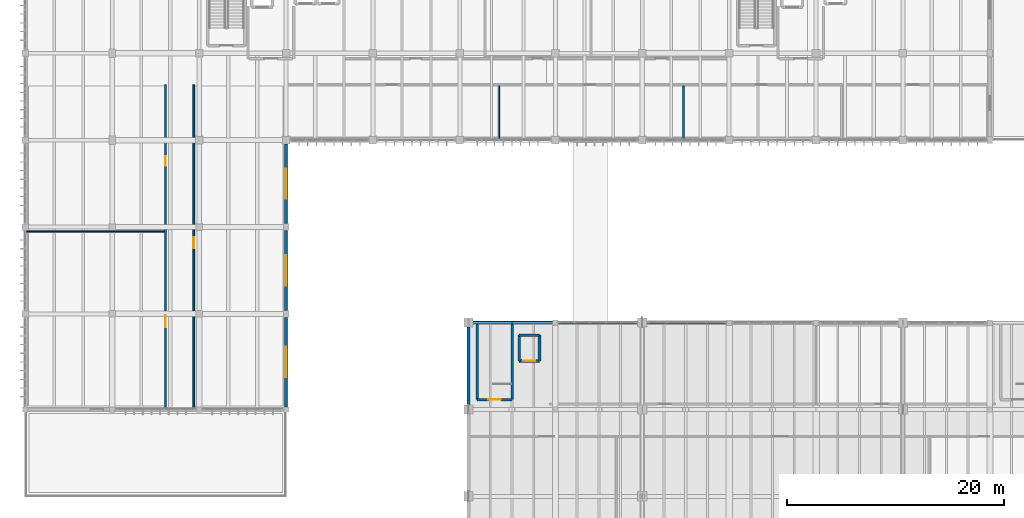
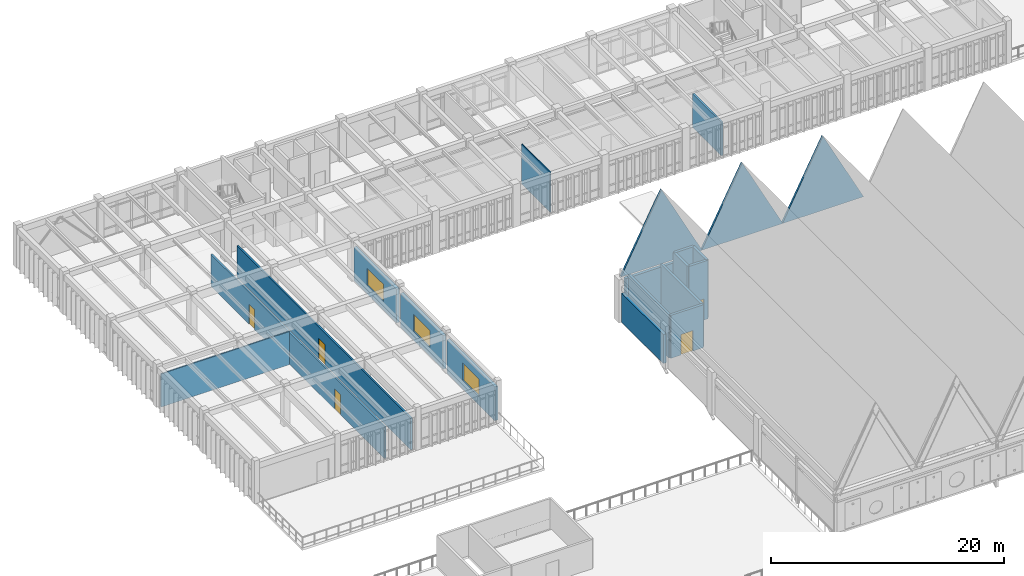
# One storey, part 48 of 72: 20 walls, 5 doors, 3 windows, 8 openings.
"""IFC4 building model written with IfcOpenShell, lengths in metres."""

from ifc_helpers import new_model, si_unit, direction, frame, frame_2d, origin, place, context, subcontext, project, spatial, polyline, rectangle, outline, extrude, material, layer, layer_set, type_object, element, fill, save


model = new_model("IFC4")

# Units and contexts
model_context = context("Model", 3, precision=1e-05, world=origin(), true_north=direction((0.0, 1.0)))
body_context = subcontext(model_context, "Body", "Model", "MODEL_VIEW")
ifc_project = project(units=[si_unit("LENGTHUNIT", "METRE"), si_unit("AREAUNIT", "SQUARE_METRE"), si_unit("VOLUMEUNIT", "CUBIC_METRE"), si_unit("PLANEANGLEUNIT", "RADIAN"), si_unit("MASSUNIT", "GRAM", prefix="KILO")], contexts=[model_context])

# Site, building, storey
site_placement = place(None, origin())
site = spatial("IfcSite", under=ifc_project, at=site_placement, CompositionType="ELEMENT")
building_placement = place(site_placement, origin())
building = spatial("IfcBuilding", under=site, at=building_placement, Name="Tlaxcora Railside Police Headquarters", CompositionType="ELEMENT")
storey_placement = place(building_placement, frame((0.0, 0.0, 13.5)))
storey = spatial("IfcBuildingStorey", under=building, at=storey_placement, Name="L03", CompositionType="ELEMENT", Elevation=13.5)

# Walls
ifc_material_1 = material(Name="Gypsum acoustic partition board")
ifc_layer_1 = layer(ifc_material_1, 0.16796875, Name="Gypsum acoustic partition board")
ifc_layer_set_1 = layer_set([ifc_layer_1], Name="Gypsum acoustic partition board")
wall_type_1 = type_object("IfcWallType", Name="Interior Partition Wall IW-31", PredefinedType="PARTITIONING", material=ifc_layer_set_1)
wall_1_placement = place(storey_placement, frame((65.7958984375, 76.8798828125, 0.0), z_axis=(0.0, 0.0, 1.0), x_axis=(0.0, 1.0, 0.0)))
element("IfcWall", 1, at=wall_1_placement, inside=storey, type_object=wall_type_1, Name="V5 L03 interior partition 190", PredefinedType="PARTITIONING", context=body_context, shape_type="SweptSolid", body=[
    extrude(rectangle(XDim=4.920166015625, YDim=0.16796875, at=frame_2d((2.4599609375, 0.0))), origin(), (0.0, 0.0, 1.0), 3.52490234375),
])
ifc_layer_2 = layer(ifc_material_1, 0.10009765625, Name="Gypsum acoustic partition board")
ifc_layer_set_2 = layer_set([ifc_layer_2], Name="Gypsum acoustic partition board")
wall_type_2 = type_object("IfcWallType", Name="Interior Partition Wall IW-45", PredefinedType="PARTITIONING", material=ifc_layer_set_2)
wall_2_placement = place(storey_placement, frame((48.81103515625, 76.8798828125, 0.0), z_axis=(0.0, 0.0, 1.0), x_axis=(0.0, 1.0, 0.0)))
element("IfcWall", 2, at=wall_2_placement, inside=storey, type_object=wall_type_2, Name="V5 L03 interior partition 189", PredefinedType="PARTITIONING", context=body_context, shape_type="SweptSolid", body=[
    extrude(rectangle(XDim=4.920166015625, YDim=0.10009765625, at=frame_2d((2.4599609375, 0.0))), origin(), (0.0, 0.0, 1.0), 4.18994140625),
])

# Wall, openings, doors
ifc_layer_3 = layer(ifc_material_1, 0.159912109375, Name="Gypsum acoustic partition board")
ifc_layer_set_3 = layer_set([ifc_layer_3], Name="Gypsum acoustic partition board")
wall_type_3 = type_object("IfcWallType", Name="Interior Partition Wall IW-73", PredefinedType="PARTITIONING", material=ifc_layer_set_3)
wall_3_placement = place(storey_placement, frame((18.10009765625, 52.080078125, 0.0), z_axis=(0.0, 0.0, 1.0), x_axis=(0.0, 1.0, 0.0)))
wall_3 = element("IfcWall", 3, at=wall_3_placement, inside=storey, type_object=wall_type_3, Name="V5 L03 interior partition 197", PredefinedType="PARTITIONING", context=body_context, shape_type="SweptSolid", body=[
    extrude(rectangle(XDim=29.81982421875, YDim=0.159912109375, at=frame_2d((14.909912109375, 0.0))), origin(), (0.0, 0.0, 1.0), 3.324951171875),
])
opening_1_placement = place(wall_3_placement, frame((7.510009765625, 0.0, 0.0)))
opening_1 = element("IfcOpeningElement", 4, at=opening_1_placement, cuts=wall_3, Name="Opening D-L03-225", PredefinedType="OPENING", context=body_context, shape_type="SweptSolid", body=[
    extrude(rectangle(XDim=1.10009765625, YDim=2.10009765625, at=frame_2d((0.550048828125, 1.050048828125))), frame((0.0, 0.08984375, 0.0), z_axis=(0.0, -1.0, 0.0), x_axis=(1.0, 0.0, 0.0)), (0.0, 0.0, 1.0), 0.179931640625),
])
opening_2_placement = place(wall_3_placement, frame((22.340087890625, 0.0, 0.0)))
opening_2 = element("IfcOpeningElement", 5, at=opening_2_placement, cuts=wall_3, Name="Opening D-L03-226", PredefinedType="OPENING", context=body_context, shape_type="SweptSolid", body=[
    extrude(rectangle(XDim=0.89990234375, YDim=2.10009765625, at=frame_2d((0.449951171875, 1.050048828125))), frame((0.0, 0.08984375, 0.0), z_axis=(0.0, -1.0, 0.0), x_axis=(1.0, 0.0, 0.0)), (0.0, 0.0, 1.0), 0.179931640625),
])
ifc_material_2 = material(Name="Steel ASTM A992 Grade 50", Category="steel")
door_type_1 = type_object("IfcDoorType", Name="Swing or Sliding Personnel Door ID-33", OperationType="NOTDEFINED", PredefinedType="DOOR", material=ifc_material_2)
door_1_placement = place(opening_2_placement, origin())
door_1 = element("IfcDoor", 6, at=door_1_placement, inside=storey, type_object=door_type_1, Name="V5 L03 door D-L03-226", OperationType="SINGLE_SWING_RIGHT", OverallHeight=2.10009765625, OverallWidth=0.89990234375, PredefinedType="DOOR", context=body_context, shape_type="SweptSolid", body=[
    extrude(rectangle(XDim=0.89990234375, YDim=2.10009765625, at=frame_2d((0.449951171875, 1.050048828125))), frame((0.0, 0.02490234375, 0.0), z_axis=(0.0, -1.0, 0.0), x_axis=(1.0, 0.0, 0.0)), (0.0, 0.0, 1.0), 0.050048828125),
])
fill(opening_2, door_1)
door_type_2 = type_object("IfcDoorType", Name="Swing or Sliding Personnel Door ID-66", OperationType="NOTDEFINED", PredefinedType="DOOR", material=ifc_material_2)
door_2_placement = place(opening_1_placement, origin())
door_2 = element("IfcDoor", 7, at=door_2_placement, inside=storey, type_object=door_type_2, Name="V5 L03 door D-L03-225", OperationType="SINGLE_SWING_LEFT", OverallHeight=2.10009765625, OverallWidth=1.10009765625, PredefinedType="DOOR", context=body_context, shape_type="SweptSolid", body=[
    extrude(rectangle(XDim=1.10009765625, YDim=2.10009765625, at=frame_2d((0.550048828125, 1.050048828125))), frame((0.0, 0.02490234375, 0.0), z_axis=(0.0, -1.0, 0.0), x_axis=(1.0, 0.0, 0.0)), (0.0, 0.0, 1.0), 0.050048828125),
])
fill(opening_1, door_2)

# Wall, opening, door
wall_4_placement = place(storey_placement, frame((20.699951171875, 52.080078125, 0.0), z_axis=(0.0, 0.0, 1.0), x_axis=(0.0, 1.0, 0.0)))
wall_4 = element("IfcWall", 8, at=wall_4_placement, inside=storey, type_object=wall_type_3, Name="V5 L03 interior partition 198", PredefinedType="PARTITIONING", context=body_context, shape_type="SweptSolid", body=[
    extrude(rectangle(XDim=29.81982421875, YDim=0.159912109375, at=frame_2d((14.909912109375, 0.0))), origin(), (0.0, 0.0, 1.0), 3.324951171875),
])
opening_3_placement = place(wall_4_placement, frame((14.75, 0.0, 0.0)))
opening_3 = element("IfcOpeningElement", 9, at=opening_3_placement, cuts=wall_4, Name="Opening D-L03-227", PredefinedType="OPENING", context=body_context, shape_type="SweptSolid", body=[
    extrude(rectangle(XDim=1.050048828125, YDim=2.10009765625, at=frame_2d((0.52490234375, 1.050048828125))), frame((0.0, 0.08984375, 0.0), z_axis=(0.0, -1.0, 0.0), x_axis=(1.0, 0.0, 0.0)), (0.0, 0.0, 1.0), 0.179931640625),
])
door_type_3 = type_object("IfcDoorType", Name="Swing or Sliding Personnel Door ID-52", OperationType="NOTDEFINED", PredefinedType="DOOR", material=ifc_material_2)
door_3_placement = place(opening_3_placement, origin())
door_3 = element("IfcDoor", 10, at=door_3_placement, inside=storey, type_object=door_type_3, Name="V5 L03 door D-L03-227", OperationType="SINGLE_SWING_LEFT", OverallHeight=2.10009765625, OverallWidth=1.050048828125, PredefinedType="DOOR", context=body_context, shape_type="SweptSolid", body=[
    extrude(rectangle(XDim=1.050048828125, YDim=2.10009765625, at=frame_2d((0.52490234375, 1.050048828125))), frame((0.0, 0.02490234375, 0.0), z_axis=(0.0, -1.0, 0.0), x_axis=(1.0, 0.0, 0.0)), (0.0, 0.0, 1.0), 0.050048828125),
])
fill(opening_3, door_3)

# Wall
ifc_layer_4 = layer(ifc_material_1, 0.114990234375, Name="Gypsum acoustic partition board")
ifc_layer_set_4 = layer_set([ifc_layer_4], Name="Gypsum acoustic partition board")
wall_type_4 = type_object("IfcWallType", Name="Interior Partition Wall IW-87", PredefinedType="PARTITIONING", material=ifc_layer_set_4)
wall_5_placement = place(storey_placement, frame((5.280029296875, 68.39111328125, 0.0), z_axis=(0.0, 0.0, 1.0), x_axis=(1.0, 0.0, 0.0)))
element("IfcWall", 11, at=wall_5_placement, inside=storey, type_object=wall_type_4, Name="V5 L03 interior partition 196", PredefinedType="PARTITIONING", context=body_context, shape_type="SweptSolid", body=[
    extrude(rectangle(XDim=12.719970703125, YDim=0.114990234375, at=frame_2d((6.35986328125, 0.0))), origin(), (0.0, 0.0, 1.0), 3.47509765625),
])

# Wall, opening, door
ifc_material_3 = material(Name="Concrete C40/50", Category="concrete")
ifc_layer_5 = layer(ifc_material_3, 0.25, Name="Concrete C40/50")
ifc_layer_set_5 = layer_set([ifc_layer_5], Name="Concrete C40/50")
wall_type_5 = type_object("IfcWallType", Name="Shear Core Wall IW-13", PredefinedType="SHEAR", material=ifc_layer_set_5)
wall_6_placement = place(storey_placement, frame((46.800048828125, 52.89990234375, 0.0), z_axis=(0.0, 0.0, 1.0), x_axis=(1.0, 0.0, 0.0)))
wall_6 = element("IfcWall", 12, at=wall_6_placement, inside=storey, type_object=wall_type_5, Name="CORE-C4 L03 stair core wall S", PredefinedType="SHEAR", context=body_context, shape_type="SweptSolid", body=[
    extrude(rectangle(XDim=3.219970703125, YDim=0.25, at=frame_2d((1.60986328125, 0.0))), origin(), (0.0, 0.0, 1.0), 4.5),
])
opening_4_placement = place(wall_6_placement, frame((1.034912109375, 0.0, 0.0)))
opening_4 = element("IfcOpeningElement", 13, at=opening_4_placement, cuts=wall_6, Name="Opening SD-L03-035", PredefinedType="OPENING", context=body_context, shape_type="SweptSolid", body=[
    extrude(rectangle(XDim=1.14990234375, YDim=2.14990234375, at=frame_2d((0.574951171875, 1.074951171875))), frame((0.0, 0.135009765625, 0.0), z_axis=(0.0, -1.0, 0.0), x_axis=(1.0, 0.0, 0.0)), (0.0, 0.0, 1.0), 0.27001953125),
])
door_type_4 = type_object("IfcDoorType", Name="Swing or Sliding Personnel Door ID-73", OperationType="NOTDEFINED", PredefinedType="DOOR", material=ifc_material_2)
door_4_placement = place(opening_4_placement, origin())
door_4 = element("IfcDoor", 14, at=door_4_placement, inside=storey, type_object=door_type_4, Name="Stair ST4 L03 enclosure fire door", OperationType="SINGLE_SWING_LEFT", OverallHeight=2.14990234375, OverallWidth=1.14990234375, PredefinedType="DOOR", context=body_context, shape_type="SweptSolid", body=[
    extrude(rectangle(XDim=1.14990234375, YDim=2.14990234375, at=frame_2d((0.574951171875, 1.074951171875))), frame((0.0, 0.02490234375, 0.0), z_axis=(0.0, -1.0, 0.0), x_axis=(1.0, 0.0, 0.0)), (0.0, 0.0, 1.0), 0.050048828125),
])
fill(opening_4, door_4)

# Walls
for number, where, z_axis, x_axis, name in (
    (15, (50.02001953125, 52.89990234375, 0.0), (0.0, 0.0, 1.0), (0.0, 1.0, 0.0), "CORE-C4 L03 stair core wall E"),
    (16, (46.800048828125, 60.0, 0.0), (0.0, 0.0, 1.0), (0.0, -1.0, 0.0), "CORE-C4 L03 stair core wall W"),
):
    element("IfcWall", number, at=place(storey_placement, frame(where, z_axis=z_axis, x_axis=x_axis)), inside=storey, type_object=wall_type_5, Name=name, PredefinedType="SHEAR", context=body_context, shape_type="SweptSolid", body=[
        extrude(rectangle(XDim=7.10009765625, YDim=0.25, at=frame_2d((3.550048828125, 0.0))), origin(), (0.0, 0.0, 1.0), 4.5),
    ])

# Wall, opening, door
wall_7_placement = place(storey_placement, frame((50.659912109375, 56.4599609375, 0.0), z_axis=(0.0, 0.0, 1.0), x_axis=(1.0, 0.0, 0.0)))
wall_7 = element("IfcWall", 17, at=wall_7_placement, inside=storey, type_object=wall_type_5, Name="Lift PL-04 L03 shaft wall S", PredefinedType="SHEAR", context=body_context, shape_type="SweptSolid", body=[
    extrude(rectangle(XDim=1.880126953125, YDim=0.25, at=frame_2d((0.93994140625, 0.0))), origin(), (0.0, 0.0, 1.0), 6.1201171875),
])
opening_5_placement = place(wall_7_placement, frame((0.389892578125, 0.0, 0.0)))
opening_5 = element("IfcOpeningElement", 18, at=opening_5_placement, cuts=wall_7, Name="Opening LD-PL-04-L03", PredefinedType="OPENING", context=body_context, shape_type="SweptSolid", body=[
    extrude(rectangle(XDim=1.10009765625, YDim=2.199951171875, at=frame_2d((0.550048828125, 1.10009765625))), frame((0.0, 0.135009765625, 0.0), z_axis=(0.0, -1.0, 0.0), x_axis=(1.0, 0.0, 0.0)), (0.0, 0.0, 1.0), 0.27001953125),
])
door_type_5 = type_object("IfcDoorType", Name="Swing or Sliding Personnel Door ID-15", OperationType="NOTDEFINED", PredefinedType="DOOR", material=ifc_material_2)
door_5_placement = place(opening_5_placement, origin())
door_5 = element("IfcDoor", 19, at=door_5_placement, inside=storey, type_object=door_type_5, Name="Lift PL-04 L03 sliding landing door", OperationType="DOUBLE_DOOR_SLIDING", OverallHeight=2.199951171875, OverallWidth=1.10009765625, PredefinedType="DOOR", context=body_context, shape_type="SweptSolid", body=[
    extrude(rectangle(XDim=1.10009765625, YDim=2.199951171875, at=frame_2d((0.550048828125, 1.10009765625))), frame((0.0, 0.02490234375, 0.0), z_axis=(0.0, -1.0, 0.0), x_axis=(1.0, 0.0, 0.0)), (0.0, 0.0, 1.0), 0.050048828125),
])
fill(opening_5, door_5)

# Walls
wall_8_placement = place(storey_placement, frame((52.5400390625, 56.4599609375, 0.0), z_axis=(0.0, 0.0, 1.0), x_axis=(0.0, 1.0, 0.0)))
element("IfcWall", 20, at=wall_8_placement, inside=storey, type_object=wall_type_5, Name="Lift PL-04 L03 shaft wall E", PredefinedType="SHEAR", context=body_context, shape_type="SweptSolid", body=[
    extrude(rectangle(XDim=2.380126953125, YDim=0.25, at=frame_2d((1.18994140625, 0.0))), origin(), (0.0, 0.0, 1.0), 6.1201171875),
])
wall_9_placement = place(storey_placement, frame((52.5400390625, 58.840087890625, 0.0), z_axis=(0.0, 0.0, 1.0), x_axis=(-1.0, 0.0, 0.0)))
element("IfcWall", 21, at=wall_9_placement, inside=storey, type_object=wall_type_5, Name="Lift PL-04 L03 shaft wall N", PredefinedType="SHEAR", context=body_context, shape_type="SweptSolid", body=[
    extrude(rectangle(XDim=1.880126953125, YDim=0.25, at=frame_2d((0.93994140625, 0.0))), origin(), (0.0, 0.0, 1.0), 6.1201171875),
])
wall_10_placement = place(storey_placement, frame((50.659912109375, 58.840087890625, 0.0), z_axis=(0.0, 0.0, 1.0), x_axis=(0.0, -1.0, 0.0)))
element("IfcWall", 22, at=wall_10_placement, inside=storey, type_object=wall_type_5, Name="Lift PL-04 L03 shaft wall W", PredefinedType="SHEAR", context=body_context, shape_type="SweptSolid", body=[
    extrude(rectangle(XDim=2.380126953125, YDim=0.25, at=frame_2d((1.18994140625, 0.0))), origin(), (0.0, 0.0, 1.0), 6.1201171875),
])
ifc_material_4 = material(Name="Precast concrete C40/50", Category="concrete")
ifc_layer_6 = layer(ifc_material_4, 0.215087890625, Name="Precast concrete C40/50")
ifc_layer_set_6 = layer_set([ifc_layer_6], Name="Precast concrete C40/50")
wall_type_6 = type_object("IfcWallType", Name="Structural Bearing Wall EW-34", PredefinedType="SOLIDWALL", material=ifc_layer_set_6)
for number, where, z_axis, x_axis, name in (
    (23, (46.0, 60.0, 4.5), (0.0, 0.0, 1.0), (1.0, 0.0, 0.0), "Sawtooth gable end wall N-1"),
    (24, (54.0, 60.0, 4.5), (0.0, 0.0, 1.0), (1.0, 0.0, 0.0), "Sawtooth gable end wall N-2"),
    (25, (62.0, 60.0, 4.5), (0.0, 0.0, 1.0), (1.0, 0.0, 0.0), "Sawtooth gable end wall N-3"),
):
    element("IfcWall", number, at=place(storey_placement, frame(where, z_axis=z_axis, x_axis=x_axis)), inside=storey, type_object=wall_type_6, Name=name, PredefinedType="SOLIDWALL", context=body_context, shape_type="SweptSolid", body=[
        extrude(outline(polyline([(0.0, 0.0), (8.0, 0.0), (8.0, 0.050048828125), (4.0, 7.75), (0.0, 0.050048828125), (0.0, 0.0)])), frame((0.0, 0.107421875, 0.0), z_axis=(0.0, -1.0, 0.0), x_axis=(1.0, 0.0, 0.0)), (0.0, 0.0, 1.0), 0.215087890625),
    ])
ifc_material_5 = material(Name="Pressed clay brick masonry", Category="masonry")
ifc_layer_7 = layer(ifc_material_5, 0.294921875, Name="Pressed clay brick masonry")
ifc_layer_set_7 = layer_set([ifc_layer_7], Name="Pressed clay brick masonry")
wall_type_7 = type_object("IfcWallType", Name="Structural Bearing Wall EW-74", PredefinedType="SOLIDWALL", material=ifc_layer_set_7)
wall_11_placement = place(storey_placement, frame((53.75, 60.0, 0.0), z_axis=(0.0, 0.0, 1.0), x_axis=(-1.0, 0.0, 0.0)))
element("IfcWall", 26, at=wall_11_placement, inside=storey, type_object=wall_type_7, Name="V2 L03 exterior wall 2.6", PredefinedType="SOLIDWALL", context=body_context, shape_type="SweptSolid", body=[
    extrude(rectangle(XDim=7.324951171875, YDim=0.294921875, at=frame_2d((3.66259765625, 0.0))), origin(), (0.0, 0.0, 1.0), 4.18994140625),
])
wall_12_placement = place(storey_placement, frame((46.0, 59.574951171875, 0.0), z_axis=(0.0, 0.0, 1.0), x_axis=(0.0, -1.0, 0.0)))
element("IfcWall", 27, at=wall_12_placement, inside=storey, type_object=wall_type_7, Name="V2 L03 exterior wall 3.0", PredefinedType="SOLIDWALL", context=body_context, shape_type="SweptSolid", body=[
    extrude(rectangle(XDim=7.14990234375, YDim=0.294921875, at=frame_2d((3.574951171875, 0.0))), origin(), (0.0, 0.0, 1.0), 3.0400390625),
])

# Wall, opening, window
wall_13_placement = place(storey_placement, frame((29.199951171875, 52.25, 0.0), z_axis=(0.0, 0.0, 1.0), x_axis=(0.0, 1.0, 0.0)))
wall_13 = element("IfcWall", 28, at=wall_13_placement, inside=storey, type_object=wall_type_7, Name="V5 L03 exterior wall 1.0", PredefinedType="SOLIDWALL", context=body_context, shape_type="SweptSolid", body=[
    extrude(rectangle(XDim=8.22509765625, YDim=0.294921875, at=frame_2d((4.112548828125, 0.0))), origin(), (0.0, 0.0, 1.0), 3.5400390625),
])
opening_6_placement = place(wall_13_placement, frame((2.71240234375, 0.0, 0.89990234375)))
opening_6 = element("IfcOpeningElement", 29, at=opening_6_placement, cuts=wall_13, Name="Opening WN-44", PredefinedType="OPENING", context=body_context, shape_type="SweptSolid", body=[
    extrude(rectangle(XDim=2.800048828125, YDim=1.800048828125, at=frame_2d((1.39990234375, 0.89990234375))), frame((0.0, 0.157470703125, 0.0), z_axis=(0.0, -1.0, 0.0), x_axis=(1.0, 0.0, 0.0)), (0.0, 0.0, 1.0), 0.31494140625),
])
ifc_material_6 = material(Name="Thermally broken low-E insulated glazing", Category="glass")
window_type = type_object("IfcWindowType", Name="Exterior Framed or Circular Window WN-44", PartitioningType="SINGLE_PANEL", PredefinedType="WINDOW", material=ifc_material_6)
window_1_placement = place(opening_6_placement, origin())
window_1 = element("IfcWindow", 30, at=window_1_placement, inside=storey, type_object=window_type, Name="V5 L03 window 132", OverallHeight=1.800048828125, OverallWidth=2.800048828125, PartitioningType="SINGLE_PANEL", PredefinedType="WINDOW", context=body_context, shape_type="SweptSolid", body=[
    extrude(rectangle(XDim=2.800048828125, YDim=1.800048828125, at=frame_2d((1.39990234375, 0.89990234375))), frame((0.0, 0.030029296875, 0.0), z_axis=(0.0, -1.0, 0.0), x_axis=(1.0, 0.0, 0.0)), (0.0, 0.0, 1.0), 0.06005859375),
])
fill(opening_6, window_1)

wall_14_placement = place(storey_placement, frame((29.199951171875, 61.125, 0.0), z_axis=(0.0, 0.0, 1.0), x_axis=(0.0, 1.0, 0.0)))
wall_14 = element("IfcWall", 31, at=wall_14_placement, inside=storey, type_object=wall_type_7, Name="V5 L03 exterior wall 1.1", PredefinedType="SOLIDWALL", context=body_context, shape_type="SweptSolid", body=[
    extrude(rectangle(XDim=7.35009765625, YDim=0.294921875, at=frame_2d((3.675048828125, 0.0))), origin(), (0.0, 0.0, 1.0), 3.5400390625),
])
opening_7_placement = place(wall_14_placement, frame((2.27490234375, 0.0, 0.89990234375)))
opening_7 = element("IfcOpeningElement", 32, at=opening_7_placement, cuts=wall_14, Name="Opening WN-44", PredefinedType="OPENING", context=body_context, shape_type="SweptSolid", body=[
    extrude(rectangle(XDim=2.800048828125, YDim=1.800048828125, at=frame_2d((1.39990234375, 0.89990234375))), frame((0.0, 0.157470703125, 0.0), z_axis=(0.0, -1.0, 0.0), x_axis=(1.0, 0.0, 0.0)), (0.0, 0.0, 1.0), 0.31494140625),
])
window_2_placement = place(opening_7_placement, origin())
window_2 = element("IfcWindow", 33, at=window_2_placement, inside=storey, type_object=window_type, Name="V5 L03 window 133", OverallHeight=1.800048828125, OverallWidth=2.800048828125, PartitioningType="SINGLE_PANEL", PredefinedType="WINDOW", context=body_context, shape_type="SweptSolid", body=[
    extrude(rectangle(XDim=2.800048828125, YDim=1.800048828125, at=frame_2d((1.39990234375, 0.89990234375))), frame((0.0, 0.030029296875, 0.0), z_axis=(0.0, -1.0, 0.0), x_axis=(1.0, 0.0, 0.0)), (0.0, 0.0, 1.0), 0.06005859375),
])
fill(opening_7, window_2)

wall_15_placement = place(storey_placement, frame((29.199951171875, 69.125, 0.0), z_axis=(0.0, 0.0, 1.0), x_axis=(0.0, 1.0, 0.0)))
wall_15 = element("IfcWall", 34, at=wall_15_placement, inside=storey, type_object=wall_type_7, Name="V5 L03 exterior wall 1.2", PredefinedType="SOLIDWALL", context=body_context, shape_type="SweptSolid", body=[
    extrude(rectangle(XDim=7.324951171875, YDim=0.294921875, at=frame_2d((3.66259765625, 0.0))), origin(), (0.0, 0.0, 1.0), 3.5400390625),
])
opening_8_placement = place(wall_15_placement, frame((2.262451171875, 0.0, 0.89990234375)))
opening_8 = element("IfcOpeningElement", 35, at=opening_8_placement, cuts=wall_15, Name="Opening WN-44", PredefinedType="OPENING", context=body_context, shape_type="SweptSolid", body=[
    extrude(rectangle(XDim=2.800048828125, YDim=1.800048828125, at=frame_2d((1.39990234375, 0.89990234375))), frame((0.0, 0.157470703125, 0.0), z_axis=(0.0, -1.0, 0.0), x_axis=(1.0, 0.0, 0.0)), (0.0, 0.0, 1.0), 0.31494140625),
])
window_3_placement = place(opening_8_placement, origin())
window_3 = element("IfcWindow", 36, at=window_3_placement, inside=storey, type_object=window_type, Name="V5 L03 window 134", OverallHeight=1.800048828125, OverallWidth=2.800048828125, PartitioningType="SINGLE_PANEL", PredefinedType="WINDOW", context=body_context, shape_type="SweptSolid", body=[
    extrude(rectangle(XDim=2.800048828125, YDim=1.800048828125, at=frame_2d((1.39990234375, 0.89990234375))), frame((0.0, 0.030029296875, 0.0), z_axis=(0.0, -1.0, 0.0), x_axis=(1.0, 0.0, 0.0)), (0.0, 0.0, 1.0), 0.06005859375),
])
fill(opening_8, window_3)

save(model, "model.ifc")
